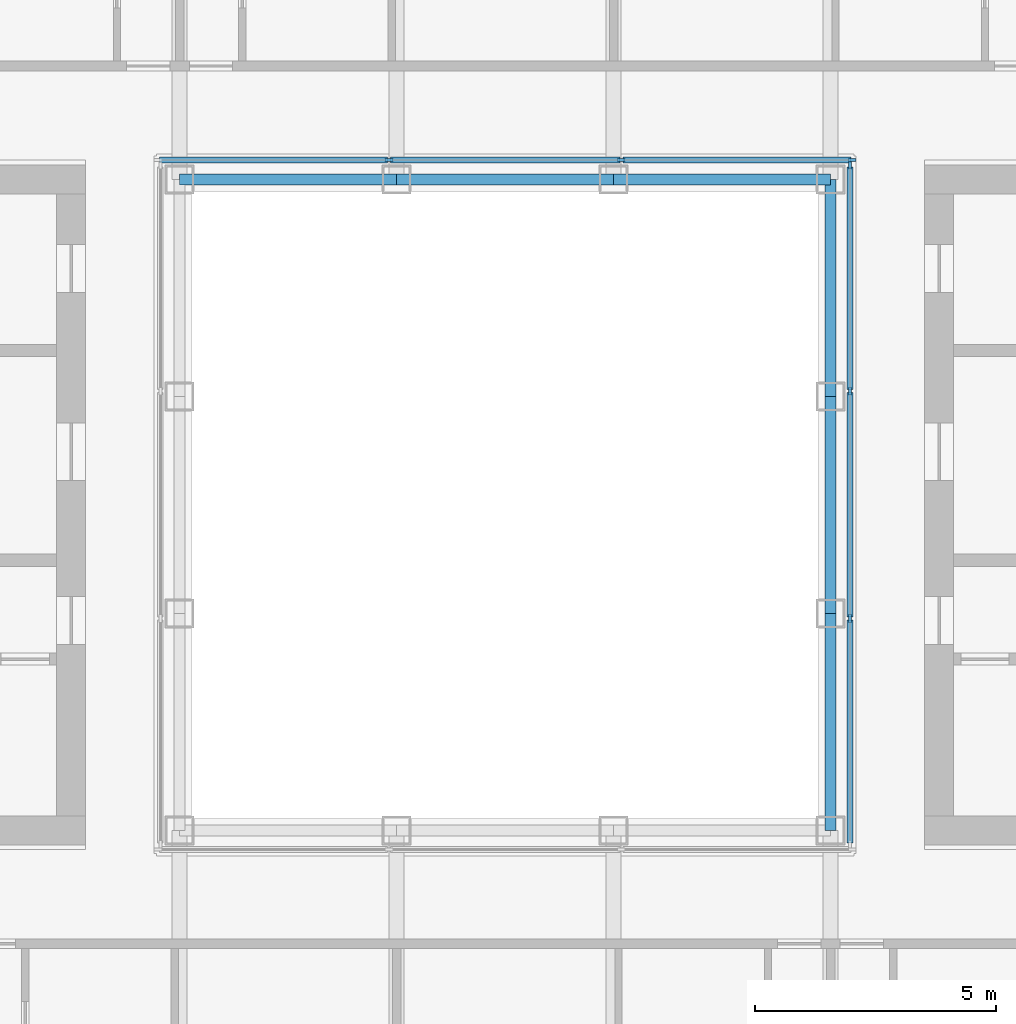
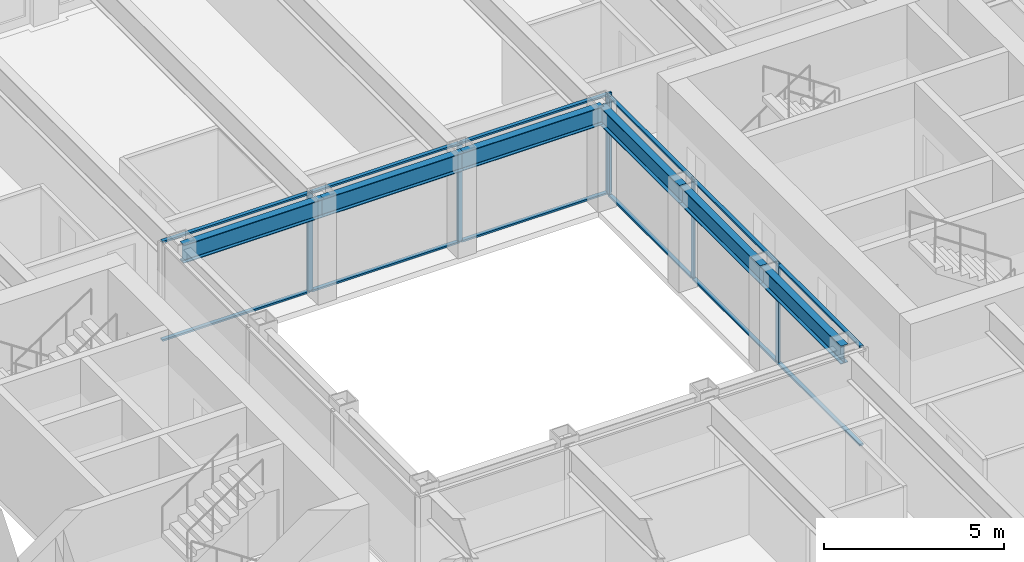
# One storey, part 5 of 17: 18 members, 6 beams, 2 elements without a shape of their own.
"""IFC4 building model written with IfcOpenShell, lengths in metres."""

from ifc_helpers import new_model, si_unit, direction, frame, origin, origin_2d, place, context, subcontext, project, spatial, rectangle, i_section, extrude, material, material_profile, profile_set, type_object, element, aggregate, save


model = new_model("IFC4")

# Units and contexts
model_context = context("Model", 3, precision=1e-05, world=origin(), true_north=direction((0.0, 1.0)))
body_context = subcontext(model_context, "Body", "Model", "MODEL_VIEW")
ifc_project = project(units=[si_unit("LENGTHUNIT", "METRE"), si_unit("AREAUNIT", "SQUARE_METRE"), si_unit("VOLUMEUNIT", "CUBIC_METRE"), si_unit("PLANEANGLEUNIT", "RADIAN"), si_unit("MASSUNIT", "GRAM", prefix="KILO")], contexts=[model_context])

# Site, building, storey
site_placement = place(None, origin())
site = spatial("IfcSite", under=ifc_project, at=site_placement, CompositionType="ELEMENT")
building_placement = place(site_placement, origin())
building = spatial("IfcBuilding", under=site, at=building_placement, Name="Msasa Ring Tower", CompositionType="ELEMENT")
storey_placement = place(building_placement, frame((0.0, 0.0, 132.800048828125)))
storey = spatial("IfcBuildingStorey", under=building, at=storey_placement, Name="L34", CompositionType="ELEMENT", Elevation=132.800048828125)

# Curtain wall, members
ifc_material_1 = material(Name="Aluminium curtain wall with clear glass", Category="aluminium")
curtain_wall_type = type_object("IfcCurtainWallType", Name="CW-W LIGHT WELL CURTAIN WALL", PredefinedType="NOTDEFINED", material=ifc_material_1)
curtain_wall_1_placement = place(storey_placement, origin())
curtain_wall_1 = element("IfcCurtainWall", 1, at=curtain_wall_1_placement, inside=storey, type_object=curtain_wall_type, Name="Light well curtain wall N L34", PredefinedType="NOTDEFINED")
ifc_material_2 = material(Name="Aluminium mullion", Category="aluminium")
ifc_material_profile_1 = material_profile(ifc_material_2, rectangle(XDim=0.06005859375, YDim=0.159912109375, at=origin_2d()), Name="AL 60x160")
ifc_profile_set_1 = profile_set([ifc_material_profile_1], Name="Aluminium mullion")
member_type_1 = type_object("IfcMemberType", Name="CW-W MULLION 60x160", PredefinedType="MULLION", material=ifc_profile_set_1)
member_1_placement = place(storey_placement, frame((-2.409912109375, 7.14990234375, 0.0), z_axis=(0.0, 0.0, 1.0), x_axis=(0.0, 1.0, 0.0)))
member_1 = element("IfcMember", 2, at=member_1_placement, type_object=member_type_1, Name="CW-W mullion 2", PredefinedType="MULLION", context=body_context, shape_type="SweptSolid", body=[
    extrude(rectangle(XDim=0.06005859375, YDim=0.159912109375, at=origin_2d()), origin(), (0.0, 0.0, 1.0), 3.39990234375),
])
member_2_placement = place(storey_placement, frame((2.409912109375, 7.14990234375, 0.0), z_axis=(0.0, 0.0, 1.0), x_axis=(0.0, 1.0, 0.0)))
member_2 = element("IfcMember", 3, at=member_2_placement, type_object=member_type_1, Name="CW-W mullion 3", PredefinedType="MULLION", context=body_context, shape_type="SweptSolid", body=[
    extrude(rectangle(XDim=0.06005859375, YDim=0.159912109375, at=origin_2d()), origin(), (0.0, 0.0, 1.0), 3.39990234375),
])
member_3_placement = place(storey_placement, frame((7.199951171875, 7.14990234375, 0.0), z_axis=(0.0, 0.0, 1.0), x_axis=(0.0, 1.0, 0.0)))
member_3 = element("IfcMember", 4, at=member_3_placement, type_object=member_type_1, Name="CW-W mullion 4", PredefinedType="MULLION", context=body_context, shape_type="SweptSolid", body=[
    extrude(rectangle(XDim=0.06005859375, YDim=0.159912109375, at=origin_2d()), origin(), (0.0, 0.0, 1.0), 3.39990234375),
])

curtain_wall_2_placement = place(storey_placement, origin())
curtain_wall_2 = element("IfcCurtainWall", 5, at=curtain_wall_2_placement, inside=storey, type_object=curtain_wall_type, Name="Light well curtain wall E L34", PredefinedType="NOTDEFINED")
member_4_placement = place(storey_placement, frame((7.14990234375, -2.356689453125, 0.0), z_axis=(0.0, 0.0, 1.0), x_axis=(-1.0, 0.0, 0.0)))
member_4 = element("IfcMember", 6, at=member_4_placement, type_object=member_type_1, Name="CW-W mullion 2", PredefinedType="MULLION", context=body_context, shape_type="SweptSolid", body=[
    extrude(rectangle(XDim=0.06005859375, YDim=0.159912109375, at=origin_2d()), origin(), (0.0, 0.0, 1.0), 3.39990234375),
])
member_5_placement = place(storey_placement, frame((7.14990234375, 2.356689453125, 0.0), z_axis=(0.0, 0.0, 1.0), x_axis=(-1.0, 0.0, 0.0)))
member_5 = element("IfcMember", 7, at=member_5_placement, type_object=member_type_1, Name="CW-W mullion 3", PredefinedType="MULLION", context=body_context, shape_type="SweptSolid", body=[
    extrude(rectangle(XDim=0.06005859375, YDim=0.159912109375, at=origin_2d()), origin(), (0.0, 0.0, 1.0), 3.39990234375),
])
member_6_placement = place(storey_placement, frame((7.14990234375, 7.0400390625, 0.0), z_axis=(0.0, 0.0, 1.0), x_axis=(-1.0, 0.0, 0.0)))
member_6 = element("IfcMember", 8, at=member_6_placement, type_object=member_type_1, Name="CW-W mullion 4", PredefinedType="MULLION", context=body_context, shape_type="SweptSolid", body=[
    extrude(rectangle(XDim=0.06005859375, YDim=0.159912109375, at=origin_2d()), origin(), (0.0, 0.0, 1.0), 3.39990234375),
])

# Member
ifc_material_3 = material(Name="Aluminium transom", Category="aluminium")
ifc_material_profile_2 = material_profile(ifc_material_3, rectangle(XDim=0.1201171875, YDim=0.06005859375, at=origin_2d()), Name="AL 60x120")
ifc_profile_set_2 = profile_set([ifc_material_profile_2], Name="Aluminium transom")
member_type_2 = type_object("IfcMemberType", Name="CW-W TRANSOM 60x120", PredefinedType="USERDEFINED", material=ifc_profile_set_2)
member_7_placement = place(storey_placement, frame((-7.169921875, 7.14990234375, 0.030029296875), z_axis=(1.0, 0.0, 0.0), x_axis=(0.0, 1.0, 0.0)))
member_7 = element("IfcMember", 9, at=member_7_placement, type_object=member_type_2, Name="CW-W transom 1.1", ObjectType="TRANSOM", PredefinedType="USERDEFINED", context=body_context, shape_type="SweptSolid", body=[
    extrude(rectangle(XDim=0.1201171875, YDim=0.06005859375, at=origin_2d()), origin(), (0.0, 0.0, 1.0), 4.72998046875),
])

member_8_placement = place(storey_placement, frame((-7.169921875, 7.14990234375, 3.369873046875), z_axis=(1.0, 0.0, 0.0), x_axis=(0.0, 1.0, 0.0)))
member_8 = element("IfcMember", 10, at=member_8_placement, type_object=member_type_2, Name="CW-W transom 1.2", ObjectType="TRANSOM", PredefinedType="USERDEFINED", context=body_context, shape_type="SweptSolid", body=[
    extrude(rectangle(XDim=0.1201171875, YDim=0.06005859375, at=origin_2d()), origin(), (0.0, 0.0, 1.0), 4.72998046875),
])

member_9_placement = place(storey_placement, frame((-2.3798828125, 7.14990234375, 0.030029296875), z_axis=(1.0, 0.0, 0.0), x_axis=(0.0, 1.0, 0.0)))
member_9 = element("IfcMember", 11, at=member_9_placement, type_object=member_type_2, Name="CW-W transom 2.1", ObjectType="TRANSOM", PredefinedType="USERDEFINED", context=body_context, shape_type="SweptSolid", body=[
    extrude(rectangle(XDim=0.1201171875, YDim=0.06005859375, at=origin_2d()), origin(), (0.0, 0.0, 1.0), 4.759765625),
])

member_10_placement = place(storey_placement, frame((-2.3798828125, 7.14990234375, 3.369873046875), z_axis=(1.0, 0.0, 0.0), x_axis=(0.0, 1.0, 0.0)))
member_10 = element("IfcMember", 12, at=member_10_placement, type_object=member_type_2, Name="CW-W transom 2.2", ObjectType="TRANSOM", PredefinedType="USERDEFINED", context=body_context, shape_type="SweptSolid", body=[
    extrude(rectangle(XDim=0.1201171875, YDim=0.06005859375, at=origin_2d()), origin(), (0.0, 0.0, 1.0), 4.759765625),
])

member_11_placement = place(storey_placement, frame((2.43994140625, 7.14990234375, 0.030029296875), z_axis=(1.0, 0.0, 0.0), x_axis=(0.0, 1.0, 0.0)))
member_11 = element("IfcMember", 13, at=member_11_placement, type_object=member_type_2, Name="CW-W transom 3.1", ObjectType="TRANSOM", PredefinedType="USERDEFINED", context=body_context, shape_type="SweptSolid", body=[
    extrude(rectangle(XDim=0.1201171875, YDim=0.06005859375, at=origin_2d()), origin(), (0.0, 0.0, 1.0), 4.72998046875),
])

member_12_placement = place(storey_placement, frame((2.43994140625, 7.14990234375, 3.369873046875), z_axis=(1.0, 0.0, 0.0), x_axis=(0.0, 1.0, 0.0)))
member_12 = element("IfcMember", 14, at=member_12_placement, type_object=member_type_2, Name="CW-W transom 3.2", ObjectType="TRANSOM", PredefinedType="USERDEFINED", context=body_context, shape_type="SweptSolid", body=[
    extrude(rectangle(XDim=0.1201171875, YDim=0.06005859375, at=origin_2d()), origin(), (0.0, 0.0, 1.0), 4.72998046875),
])

aggregate(curtain_wall_1, [member_1, member_2, member_3, member_7, member_8, member_9, member_10, member_11, member_12])

member_13_placement = place(storey_placement, frame((7.14990234375, -7.010009765625, 0.030029296875), z_axis=(0.0, 1.0, 0.0), x_axis=(-1.0, 0.0, 0.0)))
member_13 = element("IfcMember", 15, at=member_13_placement, type_object=member_type_2, Name="CW-W transom 1.1", ObjectType="TRANSOM", PredefinedType="USERDEFINED", context=body_context, shape_type="SweptSolid", body=[
    extrude(rectangle(XDim=0.1201171875, YDim=0.06005859375, at=origin_2d()), origin(), (0.0, 0.0, 1.0), 4.623291015625),
])

member_14_placement = place(storey_placement, frame((7.14990234375, -7.010009765625, 3.369873046875), z_axis=(0.0, 1.0, 0.0), x_axis=(-1.0, 0.0, 0.0)))
member_14 = element("IfcMember", 16, at=member_14_placement, type_object=member_type_2, Name="CW-W transom 1.2", ObjectType="TRANSOM", PredefinedType="USERDEFINED", context=body_context, shape_type="SweptSolid", body=[
    extrude(rectangle(XDim=0.1201171875, YDim=0.06005859375, at=origin_2d()), origin(), (0.0, 0.0, 1.0), 4.623291015625),
])

member_15_placement = place(storey_placement, frame((7.14990234375, -2.32666015625, 0.030029296875), z_axis=(0.0, 1.0, 0.0), x_axis=(-1.0, 0.0, 0.0)))
member_15 = element("IfcMember", 17, at=member_15_placement, type_object=member_type_2, Name="CW-W transom 2.1", ObjectType="TRANSOM", PredefinedType="USERDEFINED", context=body_context, shape_type="SweptSolid", body=[
    extrude(rectangle(XDim=0.1201171875, YDim=0.06005859375, at=origin_2d()), origin(), (0.0, 0.0, 1.0), 4.6533203125),
])

member_16_placement = place(storey_placement, frame((7.14990234375, -2.32666015625, 3.369873046875), z_axis=(0.0, 1.0, 0.0), x_axis=(-1.0, 0.0, 0.0)))
member_16 = element("IfcMember", 18, at=member_16_placement, type_object=member_type_2, Name="CW-W transom 2.2", ObjectType="TRANSOM", PredefinedType="USERDEFINED", context=body_context, shape_type="SweptSolid", body=[
    extrude(rectangle(XDim=0.1201171875, YDim=0.06005859375, at=origin_2d()), origin(), (0.0, 0.0, 1.0), 4.6533203125),
])

member_17_placement = place(storey_placement, frame((7.14990234375, 2.38671875, 0.030029296875), z_axis=(0.0, 1.0, 0.0), x_axis=(-1.0, 0.0, 0.0)))
member_17 = element("IfcMember", 19, at=member_17_placement, type_object=member_type_2, Name="CW-W transom 3.1", ObjectType="TRANSOM", PredefinedType="USERDEFINED", context=body_context, shape_type="SweptSolid", body=[
    extrude(rectangle(XDim=0.1201171875, YDim=0.06005859375, at=origin_2d()), origin(), (0.0, 0.0, 1.0), 4.623291015625),
])

member_18_placement = place(storey_placement, frame((7.14990234375, 2.38671875, 3.369873046875), z_axis=(0.0, 1.0, 0.0), x_axis=(-1.0, 0.0, 0.0)))
member_18 = element("IfcMember", 20, at=member_18_placement, type_object=member_type_2, Name="CW-W transom 3.2", ObjectType="TRANSOM", PredefinedType="USERDEFINED", context=body_context, shape_type="SweptSolid", body=[
    extrude(rectangle(XDim=0.1201171875, YDim=0.06005859375, at=origin_2d()), origin(), (0.0, 0.0, 1.0), 4.623291015625),
])

aggregate(curtain_wall_2, [member_4, member_5, member_6, member_13, member_14, member_15, member_16, member_17, member_18])

# Beams
ifc_material_4 = material(Name="Steel S355", Category="steel")
ifc_material_profile_3 = material_profile(ifc_material_4, i_section(OverallWidth=0.230224609375, OverallDepth=0.6171875, WebThickness=0.01318359375, FlangeThickness=0.022216796875, FilletRadius=0.0126953125, at=origin_2d()), Name="UB 610x229x140")
ifc_profile_set_3 = profile_set([ifc_material_profile_3], Name="Steel S355")
beam_type = type_object("IfcBeamType", Name="RB1 UB 610x229x140", PredefinedType="BEAM", material=ifc_profile_set_3)
for number, where, z_axis, x_axis, name in (
    (21, (6.75, -6.75, 3.09130859375), (0.0, 1.0, 0.0), (-1.0, 0.0, 0.0), "Inner ring beam IR+6.75-6.75 under L35"),
    (22, (6.75, -2.25, 3.09130859375), (0.0, 1.0, 0.0), (-1.0, 0.0, 0.0), "Inner ring beam IR+6.75-2.25 under L35"),
    (23, (6.75, 2.25, 3.09130859375), (0.0, 1.0, 0.0), (-1.0, 0.0, 0.0), "Inner ring beam IR+6.75+2.25 under L35"),
    (24, (6.75, 6.75, 3.09130859375), (-1.0, 0.0, 0.0), (0.0, -1.0, 0.0), "Inner ring beam IR+6.75+6.75 under L35"),
    (25, (2.25, 6.75, 3.09130859375), (-1.0, 0.0, 0.0), (0.0, -1.0, 0.0), "Inner ring beam IR+2.25+6.75 under L35"),
    (26, (-2.25, 6.75, 3.09130859375), (-1.0, 0.0, 0.0), (0.0, -1.0, 0.0), "Inner ring beam IR-2.25+6.75 under L35"),
):
    element("IfcBeam", number, at=place(storey_placement, frame(where, z_axis=z_axis, x_axis=x_axis)), inside=storey, type_object=beam_type, Name=name, PredefinedType="BEAM", context=body_context, shape_type="SweptSolid", body=[
        extrude(i_section(OverallWidth=0.230224609375, OverallDepth=0.6171875, WebThickness=0.01318359375, FlangeThickness=0.022216796875, FilletRadius=0.0126953125, at=origin_2d()), origin(), (0.0, 0.0, 1.0), 4.5),
    ])

save(model, "model.ifc")
